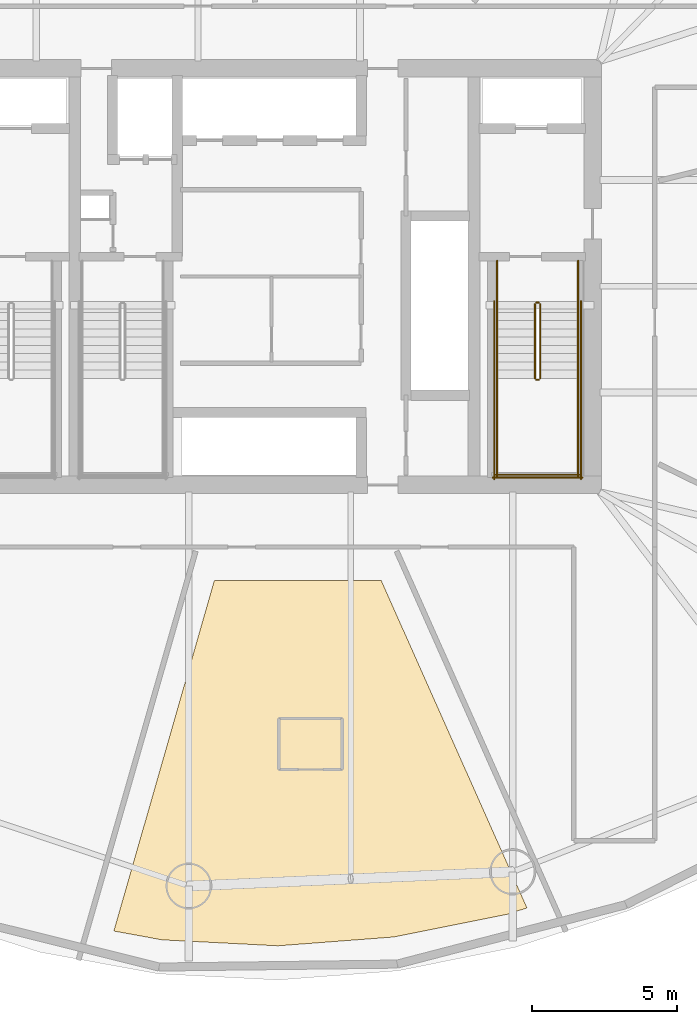
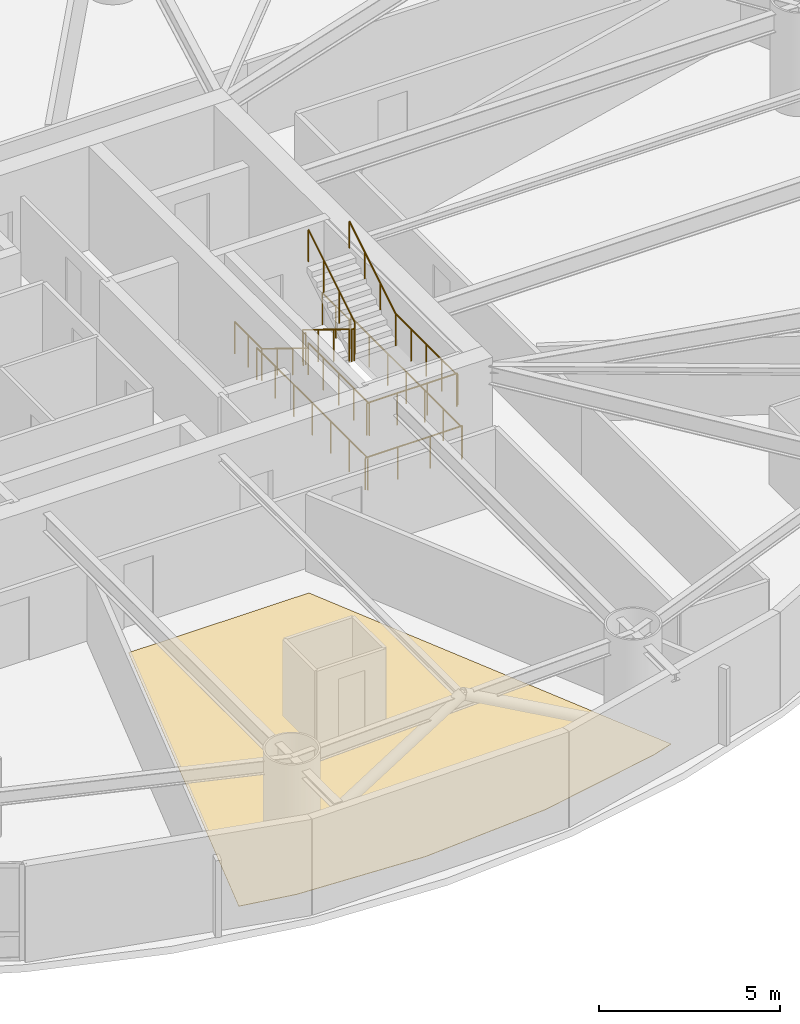
# One storey, part 18 of 19: 14 railings, 1 covering.
"""IFC4 building model written with IfcOpenShell, lengths in metres."""

from ifc_helpers import new_model, si_unit, direction, frame, origin, origin_2d, place, context, subcontext, project, spatial, polyline, circle, outline, extrude, material, layer, layer_set, type_object, element, save


model = new_model("IFC4")

# Units and contexts
model_context = context("Model", 3, precision=1e-05, world=origin(), true_north=direction((0.0, 1.0)))
body_context = subcontext(model_context, "Body", "Model", "MODEL_VIEW")
ifc_project = project(units=[si_unit("LENGTHUNIT", "METRE"), si_unit("AREAUNIT", "SQUARE_METRE"), si_unit("VOLUMEUNIT", "CUBIC_METRE"), si_unit("PLANEANGLEUNIT", "RADIAN"), si_unit("MASSUNIT", "GRAM", prefix="KILO")], contexts=[model_context])

# Site, building, storey
site_placement = place(None, origin())
site = spatial("IfcSite", under=ifc_project, at=site_placement, CompositionType="ELEMENT")
building_placement = place(site_placement, origin())
building = spatial("IfcBuilding", under=site, at=building_placement, Name="Bramvorn Convention Spire", CompositionType="ELEMENT")
storey_placement = place(building_placement, frame((0.0, 0.0, 62.39990234375)))
storey = spatial("IfcBuildingStorey", under=building, at=storey_placement, Name="L13", CompositionType="ELEMENT", Elevation=62.39990234375)

# Covering
ifc_material_1 = material(Name="Solution-Dyed Wool Broadloom Hospitality Carpet", Category="textile")
ifc_layer = layer(ifc_material_1, 0.014892578125)
ifc_layer_set = layer_set([ifc_layer], Name="Solution-Dyed Wool Broadloom Hospitality Carpet - FLR-CARPET-15")
covering_type = type_object("IfcCoveringType", Name="FLR-CARPET-15", PredefinedType="FLOORING", material=ifc_layer_set)
covering_placement = place(storey_placement, origin())
element("IfcCovering", 1, at=covering_placement, inside=storey, type_object=covering_type, Name="Hotel Suite 1307 wool broadloom carpet", PredefinedType="FLOORING", context=body_context, shape_type="SweptSolid", body=[
    extrude(outline(polyline([(46.04443359375, 3.953369140625), (46.732177734375, 4.1748046875), (41.689697265625, 15.5), (35.92529296875, 15.5), (32.44873046875, 3.375), (34.118408203125, 3.06982421875), (38.122802734375, 2.864013671875), (42.121337890625, 3.16845703125), (46.04443359375, 3.953369140625)])), origin(), (0.0, 0.0, 1.0), 0.01513671875),
])

# Railings
ifc_material_2 = material(Name="Painted Steel Balustrade & Guardrail", Category="steel")
railing_type_1 = type_object("IfcRailingType", Name="RL-STAIR-GUARD-1100", PredefinedType="GUARDRAIL", material=ifc_material_2)
railing_1_placement = place(storey_placement, frame((47.010009765625, 25.050048828125, 0.175048828125)))
element("IfcRailing", 2, at=railing_1_placement, inside=storey, type_object=railing_type_1, Name="L13 ST2 stair guard 1", PredefinedType="GUARDRAIL", context=body_context, shape_type="SweptSolid", body=[
    extrude(circle(Radius=0.02392578125, at=origin_2d()), frame((0.0, 0.0, 1.076171875), z_axis=(0.0, -0.852173129349, 0.523259933127), x_axis=(1.0, 0.0, 0.0)), (0.0, 0.0, 1.0), 3.009765625),
    extrude(circle(Radius=0.02099609375, at=origin_2d()), origin(), (0.0, 0.0, 1.0), 1.052001953125),
    extrude(circle(Radius=0.02099609375, at=origin_2d()), frame((0.0, -0.85498046875, 0.52490234375)), (0.0, 0.0, 1.0), 1.052001953125),
    extrude(circle(Radius=0.02099609375, at=origin_2d()), frame((0.0, -1.7099609375, 1.050048828125)), (0.0, 0.0, 1.0), 1.052001953125),
    extrude(circle(Radius=0.02099609375, at=origin_2d()), frame((0.0, -2.56494140625, 1.574951171875)), (0.0, 0.0, 1.0), 1.052001953125),
])
railing_2_placement = place(storey_placement, frame((47.06005859375, 22.43505859375, 1.75)))
element("IfcRailing", 3, at=railing_2_placement, inside=storey, type_object=railing_type_1, Name="L13 ST2 stair guard 2", PredefinedType="GUARDRAIL", context=body_context, shape_type="SweptSolid", body=[
    extrude(circle(Radius=0.02392578125, at=origin_2d()), frame((0.0, 0.0, 1.076171875), z_axis=(1.0, 0.0, 0.0), x_axis=(0.0, 1.0, 0.0)), (0.0, 0.0, 1.0), 0.079833984375),
    extrude(circle(Radius=0.02099609375, at=origin_2d()), origin(), (0.0, 0.0, 1.0), 1.052001953125),
    extrude(circle(Radius=0.02099609375, at=origin_2d()), frame((0.079833984375, 0.0, 0.0)), (0.0, 0.0, 1.0), 1.052001953125),
])
for number, where, name in (
    (4, (45.699951171875, 22.485107421875, 1.75), "L13 ST2 stair guard 3"),
    (5, (48.5, 22.485107421875, 1.75), "L13 ST2 stair guard 4"),
):
    element("IfcRailing", number, at=place(storey_placement, frame(where)), inside=storey, type_object=railing_type_1, Name=name, PredefinedType="GUARDRAIL", context=body_context, shape_type="SweptSolid", body=[
        extrude(circle(Radius=0.02392578125, at=origin_2d()), frame((0.0, 0.0, 1.076171875), z_axis=(0.0, -1.0, 0.0), x_axis=(1.0, 0.0, 0.0)), (0.0, 0.0, 1.0), 3.385009765625),
        extrude(circle(Radius=0.02099609375, at=origin_2d()), origin(), (0.0, 0.0, 1.0), 1.052001953125),
        extrude(circle(Radius=0.02099609375, at=origin_2d()), frame((0.0, -0.84619140625, 0.0)), (0.0, 0.0, 1.0), 1.052001953125),
        extrude(circle(Radius=0.02099609375, at=origin_2d()), frame((0.0, -1.6923828125, 0.0)), (0.0, 0.0, 1.0), 1.052001953125),
        extrude(circle(Radius=0.02099609375, at=origin_2d()), frame((0.0, -2.538818359375, 0.0)), (0.0, 0.0, 1.0), 1.052001953125),
        extrude(circle(Radius=0.02099609375, at=origin_2d()), frame((0.0, -3.385009765625, 0.0)), (0.0, 0.0, 1.0), 1.052001953125),
    ])
railing_3_placement = place(storey_placement, frame((45.64990234375, 19.14990234375, 1.75)))
element("IfcRailing", 6, at=railing_3_placement, inside=storey, type_object=railing_type_1, Name="L13 ST2 stair guard 5", PredefinedType="GUARDRAIL", context=body_context, shape_type="SweptSolid", body=[
    extrude(circle(Radius=0.02392578125, at=origin_2d()), frame((0.0, 0.0, 1.076171875), z_axis=(1.0, 0.0, 0.0), x_axis=(0.0, 1.0, 0.0)), (0.0, 0.0, 1.0), 2.900146484375),
    extrude(circle(Radius=0.02099609375, at=origin_2d()), origin(), (0.0, 0.0, 1.0), 1.052001953125),
    extrude(circle(Radius=0.02099609375, at=origin_2d()), frame((0.966796875, 0.0, 0.0)), (0.0, 0.0, 1.0), 1.052001953125),
    extrude(circle(Radius=0.02099609375, at=origin_2d()), frame((1.933349609375, 0.0, 0.0)), (0.0, 0.0, 1.0), 1.052001953125),
    extrude(circle(Radius=0.02099609375, at=origin_2d()), frame((2.900146484375, 0.0, 0.0)), (0.0, 0.0, 1.0), 1.052001953125),
])
railing_4_placement = place(storey_placement, frame((47.18994140625, 22.485107421875, 1.925048828125)))
element("IfcRailing", 7, at=railing_4_placement, inside=storey, type_object=railing_type_1, Name="L13 ST2 stair guard 6", PredefinedType="GUARDRAIL", context=body_context, shape_type="SweptSolid", body=[
    extrude(circle(Radius=0.02392578125, at=origin_2d()), frame((0.0, 0.0, 1.076171875), z_axis=(0.0, 0.852173129349, 0.523259933127), x_axis=(-1.0, 0.0, 0.0)), (0.0, 0.0, 1.0), 3.009765625),
    extrude(circle(Radius=0.02099609375, at=origin_2d()), origin(), (0.0, 0.0, 1.0), 1.052001953125),
    extrude(circle(Radius=0.02099609375, at=origin_2d()), frame((0.0, 0.85498046875, 0.52490234375)), (0.0, 0.0, 1.0), 1.052001953125),
    extrude(circle(Radius=0.02099609375, at=origin_2d()), frame((0.0, 1.7099609375, 1.050048828125)), (0.0, 0.0, 1.0), 1.052001953125),
    extrude(circle(Radius=0.02099609375, at=origin_2d()), frame((0.0, 2.56494140625, 1.574951171875)), (0.0, 0.0, 1.0), 1.052001953125),
])
railing_5_placement = place(storey_placement, frame((47.06005859375, 25.10009765625, 0.0)))
element("IfcRailing", 8, at=railing_5_placement, inside=storey, type_object=railing_type_1, Name="L13 ST2 stair guard 7", PredefinedType="GUARDRAIL", context=body_context, shape_type="SweptSolid", body=[
    extrude(circle(Radius=0.02392578125, at=origin_2d()), frame((0.0, 0.0, 1.076171875), z_axis=(1.0, 0.0, 0.0), x_axis=(0.0, 1.0, 0.0)), (0.0, 0.0, 1.0), 0.079833984375),
    extrude(circle(Radius=0.02099609375, at=origin_2d()), origin(), (0.0, 0.0, 1.0), 1.052001953125),
    extrude(circle(Radius=0.02099609375, at=origin_2d()), frame((0.079833984375, 0.0, 0.0)), (0.0, 0.0, 1.0), 1.052001953125),
])
for number, where, name in (
    (9, (45.699951171875, 26.550048828125, 0.0), "L13 ST2 stair guard 8"),
    (10, (48.5, 26.550048828125, 0.0), "L13 ST2 stair guard 9"),
):
    element("IfcRailing", number, at=place(storey_placement, frame(where)), inside=storey, type_object=railing_type_1, Name=name, PredefinedType="GUARDRAIL", context=body_context, shape_type="SweptSolid", body=[
        extrude(circle(Radius=0.02392578125, at=origin_2d()), frame((0.0, 0.0, 1.076171875), z_axis=(0.0, -1.0, 0.0), x_axis=(1.0, 0.0, 0.0)), (0.0, 0.0, 1.0), 1.5),
        extrude(circle(Radius=0.02099609375, at=origin_2d()), origin(), (0.0, 0.0, 1.0), 1.052001953125),
        extrude(circle(Radius=0.02099609375, at=origin_2d()), frame((0.0, -0.75, 0.0)), (0.0, 0.0, 1.0), 1.052001953125),
        extrude(circle(Radius=0.02099609375, at=origin_2d()), frame((0.0, -1.5, 0.0)), (0.0, 0.0, 1.0), 1.052001953125),
    ])
for number, where, name in (
    (11, (45.60009765625, 25.14990234375, 0.0), "L13 ST2 stair guard 10"),
    (12, (48.60009765625, 25.14990234375, 0.0), "L13 ST2 stair guard 11"),
):
    element("IfcRailing", number, at=place(storey_placement, frame(where)), inside=storey, type_object=railing_type_1, Name=name, PredefinedType="GUARDRAIL", context=body_context, shape_type="SweptSolid", body=[
        extrude(circle(Radius=0.02392578125, at=origin_2d()), frame((0.0, 0.0, 1.076171875), z_axis=(0.0, -1.0, 0.0), x_axis=(1.0, 0.0, 0.0)), (0.0, 0.0, 1.0), 6.14990234375),
        extrude(circle(Radius=0.02099609375, at=origin_2d()), origin(), (0.0, 0.0, 1.0), 1.052001953125),
        extrude(circle(Radius=0.02099609375, at=origin_2d()), frame((0.0, -1.02490234375, 0.0)), (0.0, 0.0, 1.0), 1.052001953125),
        extrude(circle(Radius=0.02099609375, at=origin_2d()), frame((0.0, -2.050048828125, 0.0)), (0.0, 0.0, 1.0), 1.052001953125),
        extrude(circle(Radius=0.02099609375, at=origin_2d()), frame((0.0, -3.074951171875, 0.0)), (0.0, 0.0, 1.0), 1.052001953125),
        extrude(circle(Radius=0.02099609375, at=origin_2d()), frame((0.0, -4.099853515625, 0.0)), (0.0, 0.0, 1.0), 1.052001953125),
        extrude(circle(Radius=0.02099609375, at=origin_2d()), frame((0.0, -5.125, 0.0)), (0.0, 0.0, 1.0), 1.052001953125),
        extrude(circle(Radius=0.02099609375, at=origin_2d()), frame((0.0, -6.14990234375, 0.0)), (0.0, 0.0, 1.0), 1.052001953125),
    ])
railing_6_placement = place(storey_placement, frame((45.550048828125, 19.050048828125, 0.0)))
element("IfcRailing", 13, at=railing_6_placement, inside=storey, type_object=railing_type_1, Name="L13 ST2 stair guard 12", PredefinedType="GUARDRAIL", context=body_context, shape_type="SweptSolid", body=[
    extrude(circle(Radius=0.02392578125, at=origin_2d()), frame((0.0, 0.0, 1.076171875), z_axis=(1.0, 0.0, 0.0), x_axis=(0.0, 1.0, 0.0)), (0.0, 0.0, 1.0), 3.099853515625),
    extrude(circle(Radius=0.02099609375, at=origin_2d()), origin(), (0.0, 0.0, 1.0), 1.052001953125),
    extrude(circle(Radius=0.02099609375, at=origin_2d()), frame((1.033203125, 0.0, 0.0)), (0.0, 0.0, 1.0), 1.052001953125),
    extrude(circle(Radius=0.02099609375, at=origin_2d()), frame((2.066650390625, 0.0, 0.0)), (0.0, 0.0, 1.0), 1.052001953125),
    extrude(circle(Radius=0.02099609375, at=origin_2d()), frame((3.099853515625, 0.0, 0.0)), (0.0, 0.0, 1.0), 1.052001953125),
])
ifc_material_3 = material(Name="Brushed Bronze Tubular Handrail", Category="aluminium")
railing_type_2 = type_object("IfcRailingType", Name="RL-STAIR-HR-920", PredefinedType="HANDRAIL", material=ifc_material_3)
railing_7_placement = place(storey_placement, frame((45.699951171875, 25.050048828125, 0.175048828125)))
element("IfcRailing", 14, at=railing_7_placement, inside=storey, type_object=railing_type_2, Name="L13 ST2 stair handrail 1", PredefinedType="HANDRAIL", context=body_context, shape_type="SweptSolid", body=[
    extrude(circle(Radius=0.02392578125, at=origin_2d()), frame((0.0, 0.0, 0.89599609375), z_axis=(0.0, -0.852173129349, 0.523259933127), x_axis=(1.0, 0.0, 0.0)), (0.0, 0.0, 1.0), 3.009765625),
    extrude(circle(Radius=0.02099609375, at=origin_2d()), origin(), (0.0, 0.0, 1.0), 0.871826171875),
    extrude(circle(Radius=0.02099609375, at=origin_2d()), frame((0.0, -0.85498046875, 0.52490234375)), (0.0, 0.0, 1.0), 0.871826171875),
    extrude(circle(Radius=0.02099609375, at=origin_2d()), frame((0.0, -1.7099609375, 1.050048828125)), (0.0, 0.0, 1.0), 0.871826171875),
    extrude(circle(Radius=0.02099609375, at=origin_2d()), frame((0.0, -2.56494140625, 1.574951171875)), (0.0, 0.0, 1.0), 0.871826171875),
])
railing_8_placement = place(storey_placement, frame((48.5, 22.485107421875, 1.925048828125)))
element("IfcRailing", 15, at=railing_8_placement, inside=storey, type_object=railing_type_2, Name="L13 ST2 stair handrail 2", PredefinedType="HANDRAIL", context=body_context, shape_type="SweptSolid", body=[
    extrude(circle(Radius=0.02392578125, at=origin_2d()), frame((0.0, 0.0, 0.89599609375), z_axis=(0.0, 0.852173129349, 0.523259933127), x_axis=(-1.0, 0.0, 0.0)), (0.0, 0.0, 1.0), 3.009765625),
    extrude(circle(Radius=0.02099609375, at=origin_2d()), origin(), (0.0, 0.0, 1.0), 0.871826171875),
    extrude(circle(Radius=0.02099609375, at=origin_2d()), frame((0.0, 0.85498046875, 0.52490234375)), (0.0, 0.0, 1.0), 0.871826171875),
    extrude(circle(Radius=0.02099609375, at=origin_2d()), frame((0.0, 1.7099609375, 1.050048828125)), (0.0, 0.0, 1.0), 0.871826171875),
    extrude(circle(Radius=0.02099609375, at=origin_2d()), frame((0.0, 2.56494140625, 1.574951171875)), (0.0, 0.0, 1.0), 0.871826171875),
])

save(model, "model.ifc")
